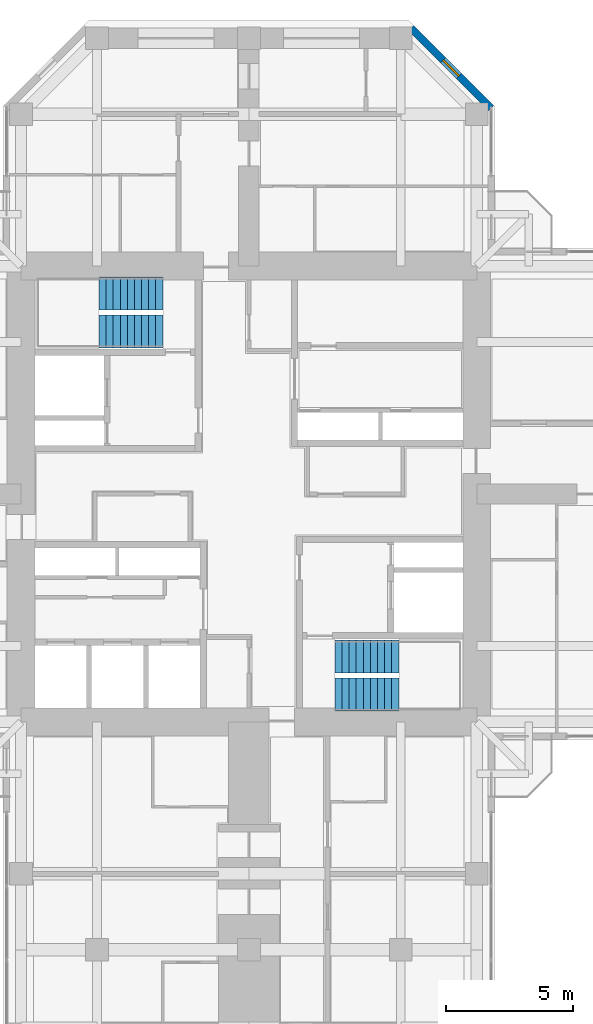
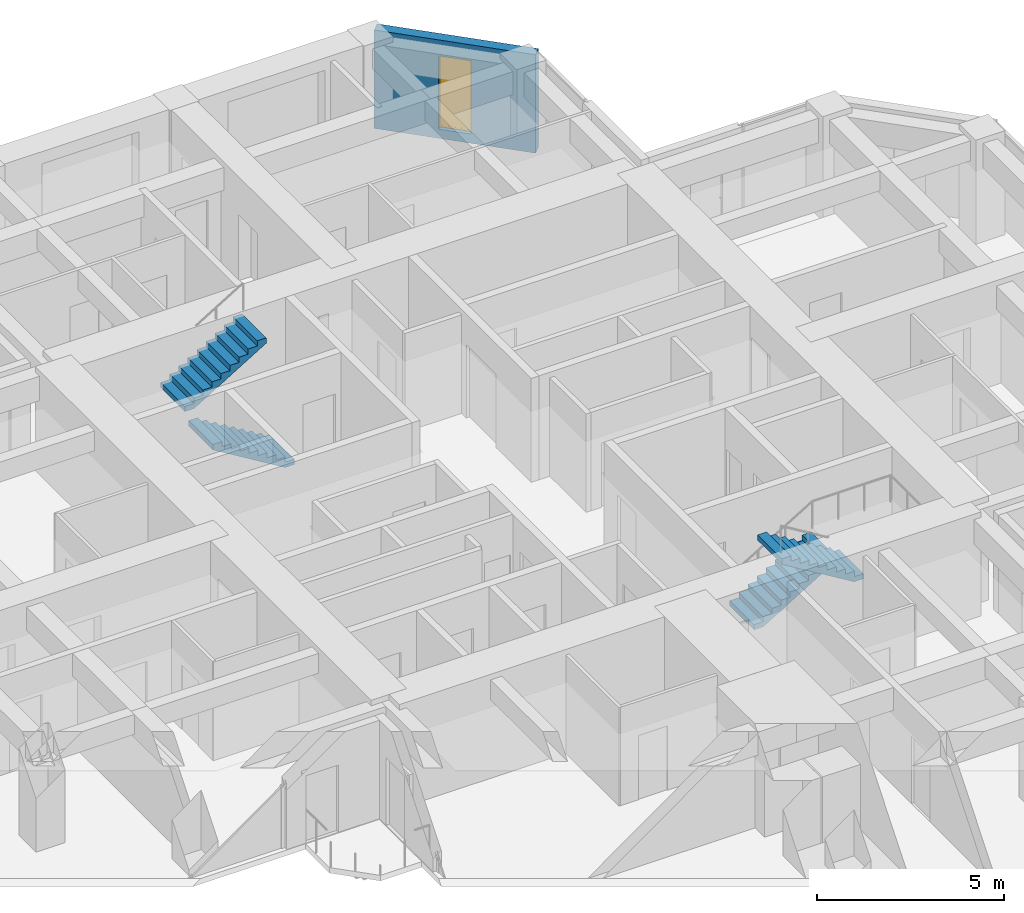
# One storey, part 13 of 14: 4 stair flights, 1 wall, 1 window, 1 opening, 2 elements without a shape of their own.
"""IFC4 building model written with IfcOpenShell, lengths in metres."""

from ifc_helpers import new_model, si_unit, direction, frame, frame_2d, origin, place, context, subcontext, project, spatial, polyline, rectangle, hollow_rectangle, outline, extrude, material, layer, layer_set, constituent, constituent_set, type_object, element, fill, aggregate, save


model = new_model("IFC4")

# Units and contexts
model_context = context("Model", 3, precision=1e-05, world=origin(), true_north=direction((0.0, 1.0)))
body_context = subcontext(model_context, "Body", "Model", "MODEL_VIEW")
ifc_project = project(units=[si_unit("LENGTHUNIT", "METRE"), si_unit("AREAUNIT", "SQUARE_METRE"), si_unit("VOLUMEUNIT", "CUBIC_METRE"), si_unit("PLANEANGLEUNIT", "RADIAN"), si_unit("MASSUNIT", "GRAM", prefix="KILO")], contexts=[model_context])

# Site, building, storey
site_placement = place(None, origin())
site = spatial("IfcSite", under=ifc_project, at=site_placement, CompositionType="ELEMENT")
building_placement = place(site_placement, origin())
building = spatial("IfcBuilding", under=site, at=building_placement, Name="Torre Cruceta", CompositionType="ELEMENT")
storey_placement = place(building_placement, frame((0.0, 0.0, 206.89990234375)))
storey = spatial("IfcBuildingStorey", under=building, at=storey_placement, Name="L52", CompositionType="ELEMENT", Elevation=206.89990234375)

# Wall, opening, window
ifc_material_1 = material(Name="Concrete G30 (fck 30 MPa)", Category="concrete")
ifc_layer = layer(ifc_material_1, 0.300048828125)
ifc_layer_set = layer_set([ifc_layer], Name="Concrete G30 (fck 30 MPa)")
wall_type = type_object("IfcWallType", Name="EXPOSED CONCRETE FACADE WALL 300", PredefinedType="SOLIDWALL", material=ifc_layer_set)
wall_placement = place(storey_placement, frame((9.570068359375, 15.236083984375, 0.0), z_axis=(0.0, 0.0, 1.0), x_axis=(-0.707134062067, 0.707079499254, 0.0)))
wall = element("IfcWall", 1, at=wall_placement, inside=storey, type_object=wall_type, Name="EW1 facade wall L52 N chamfer 06", PredefinedType="SOLIDWALL", context=body_context, shape_type="SweptSolid", body=[
    extrude(rectangle(XDim=4.474609375, YDim=0.300048828125, at=frame_2d((2.2373046875, 0.0))), origin(), (0.0, 0.0, 1.0), 3.22021484375),
])
opening_placement = place(wall_placement, frame((1.787109375, 0.0, 0.300048828125)))
opening = element("IfcOpeningElement", 2, at=opening_placement, cuts=wall, Name="Opening WN5", PredefinedType="OPENING", context=body_context, shape_type="SweptSolid", body=[
    extrude(rectangle(XDim=0.89990234375, YDim=2.39990234375, at=frame_2d((0.449951171875, 1.199951171875))), frame((0.0, 0.159912109375, 0.0), z_axis=(0.0, -1.0, 0.0), x_axis=(1.0, 0.0, 0.0)), (0.0, 0.0, 1.0), 0.320068359375),
])
ifc_material_2 = material(Name="Aluminium window frame", Category="aluminium")
ifc_constituent_1 = constituent(ifc_material_2, Name="Frame")
ifc_material_3 = material(Name="Laminated insulating glass unit, low-iron clear", Category="glass")
ifc_constituent_2 = constituent(ifc_material_3, Name="Glazing")
ifc_constituent_set = constituent_set(constituents=[ifc_constituent_1, ifc_constituent_2], Name="Aluminium window")
window_type = type_object("IfcWindowType", Name="CHAMFER SLOT WINDOW 900X2400", PartitioningType="SINGLE_PANEL", PredefinedType="WINDOW", material=ifc_constituent_set)
window_placement = place(opening_placement, origin())
window = element("IfcWindow", 3, at=window_placement, inside=storey, type_object=window_type, Name="WN5 L52 N 1", OverallHeight=2.39990234375, OverallWidth=0.89990234375, PartitioningType="SINGLE_PANEL", PredefinedType="WINDOW", context=body_context, shape_type="SweptSolid", body=[
    extrude(hollow_rectangle(XDim=0.89990234375, YDim=2.39990234375, WallThickness=0.06005859375, at=frame_2d((0.449951171875, 1.199951171875))), frame((0.0, 0.030029296875, 0.0), z_axis=(0.0, -1.0, 0.0), x_axis=(1.0, 0.0, 0.0)), (0.0, 0.0, 1.0), 0.06005859375),
    extrude(rectangle(XDim=0.77880859375, YDim=2.27880859375, at=frame_2d((0.449951171875, 1.199951171875))), frame((0.0, 0.030029296875, 0.0), z_axis=(0.0, -1.0, 0.0), x_axis=(1.0, 0.0, 0.0)), (0.0, 0.0, 1.0), 0.06005859375),
])
fill(opening, window)

# Stair, stair flights
ifc_material_4 = material(Name="Concrete G30 (fck 30 MPa)", Category="concrete")
stair_type = type_object("IfcStairType", Name="STAIR HALF-TURN 1300", PredefinedType="HALF_TURN_STAIR", material=ifc_material_4)
stair_1_placement = place(storey_placement, origin())
stair_1 = element("IfcStair", 4, at=stair_1_placement, inside=storey, type_object=stair_type, Name="Stair ST1 L52", PredefinedType="HALF_TURN_STAIR")
ifc_material_5 = material(Name="Concrete G30 (fck 30 MPa)", Category="concrete")
stair_flight_type = type_object("IfcStairFlightType", Name="STAIR FLIGHT 1300", PredefinedType="STRAIGHT", material=ifc_material_5)
stair_flight_1_placement = place(storey_placement, frame((-3.39990234375, 6.425048828125, 0.0), z_axis=(0.0, 0.0, 1.0), x_axis=(-1.0, 0.0, 0.0)))
stair_flight_1 = element("IfcStairFlight", 5, at=stair_flight_1_placement, type_object=stair_flight_type, Name="ST1 flight 1", NumberOfRisers=10, NumberOfTreads=9, PredefinedType="STRAIGHT", RiserHeight=0.17, TreadLength=0.28, context=body_context, shape_type="SweptSolid", body=[
    extrude(outline(polyline([(0.0, 0.0), (0.0, 0.169921875), (0.280029296875, 0.169921875), (0.280029296875, 0.340087890625), (0.56005859375, 0.340087890625), (0.56005859375, 0.510009765625), (0.840087890625, 0.510009765625), (0.840087890625, 0.679931640625), (1.1201171875, 0.679931640625), (1.1201171875, 0.85009765625), (1.39990234375, 0.85009765625), (1.39990234375, 1.02001953125), (1.679931640625, 1.02001953125), (1.679931640625, 1.18994140625), (1.9599609375, 1.18994140625), (1.9599609375, 1.360107421875), (2.239990234375, 1.360107421875), (2.239990234375, 1.530029296875), (2.52001953125, 1.530029296875), (2.52001953125, 1.699951171875), (2.52001953125, 1.354736328125), (0.288818359375, 0.0), (0.0, 0.0)])), frame((0.0, 0.64990234375, 0.0), z_axis=(0.0, -1.0, 0.0), x_axis=(1.0, 0.0, 0.0)), (0.0, 0.0, 1.0), 1.300048828125),
])
stair_flight_2_placement = place(storey_placement, frame((-5.919921875, 7.925048828125, 1.7001953125), z_axis=(0.0, 0.0, 1.0), x_axis=(1.0, 0.0, 0.0)))
stair_flight_2 = element("IfcStairFlight", 6, at=stair_flight_2_placement, type_object=stair_flight_type, Name="ST1 flight 2", NumberOfRisers=10, NumberOfTreads=9, PredefinedType="STRAIGHT", RiserHeight=0.17, TreadLength=0.28, context=body_context, shape_type="SweptSolid", body=[
    extrude(outline(polyline([(0.0, 0.0), (0.0, 0.169921875), (0.280029296875, 0.169921875), (0.280029296875, 0.340087890625), (0.56005859375, 0.340087890625), (0.56005859375, 0.510009765625), (0.840087890625, 0.510009765625), (0.840087890625, 0.679931640625), (1.1201171875, 0.679931640625), (1.1201171875, 0.85009765625), (1.39990234375, 0.85009765625), (1.39990234375, 1.02001953125), (1.679931640625, 1.02001953125), (1.679931640625, 1.18994140625), (1.9599609375, 1.18994140625), (1.9599609375, 1.360107421875), (2.239990234375, 1.360107421875), (2.239990234375, 1.530029296875), (2.52001953125, 1.530029296875), (2.52001953125, 1.699951171875), (2.52001953125, 1.354736328125), (0.288818359375, 0.0), (0.0, 0.0)])), frame((0.0, 0.64990234375, 0.0), z_axis=(0.0, -1.0, 0.0), x_axis=(1.0, 0.0, 0.0)), (0.0, 0.0, 1.0), 1.300048828125),
])
aggregate(stair_1, [stair_flight_1, stair_flight_2])

stair_2_placement = place(storey_placement, origin())
stair_2 = element("IfcStair", 7, at=stair_2_placement, inside=storey, type_object=stair_type, Name="Stair ST2 L52", PredefinedType="HALF_TURN_STAIR")
stair_flight_3_placement = place(storey_placement, frame((3.39990234375, -6.425048828125, 0.0), z_axis=(0.0, 0.0, 1.0), x_axis=(1.0, 0.0, 0.0)))
stair_flight_3 = element("IfcStairFlight", 8, at=stair_flight_3_placement, type_object=stair_flight_type, Name="ST2 flight 1", NumberOfRisers=10, NumberOfTreads=9, PredefinedType="STRAIGHT", RiserHeight=0.17, TreadLength=0.28, context=body_context, shape_type="SweptSolid", body=[
    extrude(outline(polyline([(0.0, 0.0), (0.0, 0.169921875), (0.280029296875, 0.169921875), (0.280029296875, 0.340087890625), (0.56005859375, 0.340087890625), (0.56005859375, 0.510009765625), (0.840087890625, 0.510009765625), (0.840087890625, 0.679931640625), (1.1201171875, 0.679931640625), (1.1201171875, 0.85009765625), (1.39990234375, 0.85009765625), (1.39990234375, 1.02001953125), (1.679931640625, 1.02001953125), (1.679931640625, 1.18994140625), (1.9599609375, 1.18994140625), (1.9599609375, 1.360107421875), (2.239990234375, 1.360107421875), (2.239990234375, 1.530029296875), (2.52001953125, 1.530029296875), (2.52001953125, 1.699951171875), (2.52001953125, 1.354736328125), (0.288818359375, 0.0), (0.0, 0.0)])), frame((0.0, 0.64990234375, 0.0), z_axis=(0.0, -1.0, 0.0), x_axis=(1.0, 0.0, 0.0)), (0.0, 0.0, 1.0), 1.300048828125),
])
stair_flight_4_placement = place(storey_placement, frame((5.919921875, -7.925048828125, 1.7001953125), z_axis=(0.0, 0.0, 1.0), x_axis=(-1.0, 0.0, 0.0)))
stair_flight_4 = element("IfcStairFlight", 9, at=stair_flight_4_placement, type_object=stair_flight_type, Name="ST2 flight 2", NumberOfRisers=10, NumberOfTreads=9, PredefinedType="STRAIGHT", RiserHeight=0.17, TreadLength=0.28, context=body_context, shape_type="SweptSolid", body=[
    extrude(outline(polyline([(0.0, 0.0), (0.0, 0.169921875), (0.280029296875, 0.169921875), (0.280029296875, 0.340087890625), (0.56005859375, 0.340087890625), (0.56005859375, 0.510009765625), (0.840087890625, 0.510009765625), (0.840087890625, 0.679931640625), (1.1201171875, 0.679931640625), (1.1201171875, 0.85009765625), (1.39990234375, 0.85009765625), (1.39990234375, 1.02001953125), (1.679931640625, 1.02001953125), (1.679931640625, 1.18994140625), (1.9599609375, 1.18994140625), (1.9599609375, 1.360107421875), (2.239990234375, 1.360107421875), (2.239990234375, 1.530029296875), (2.52001953125, 1.530029296875), (2.52001953125, 1.699951171875), (2.52001953125, 1.354736328125), (0.288818359375, 0.0), (0.0, 0.0)])), frame((0.0, 0.64990234375, 0.0), z_axis=(0.0, -1.0, 0.0), x_axis=(1.0, 0.0, 0.0)), (0.0, 0.0, 1.0), 1.300048828125),
])
aggregate(stair_2, [stair_flight_3, stair_flight_4])

save(model, "model.ifc")
